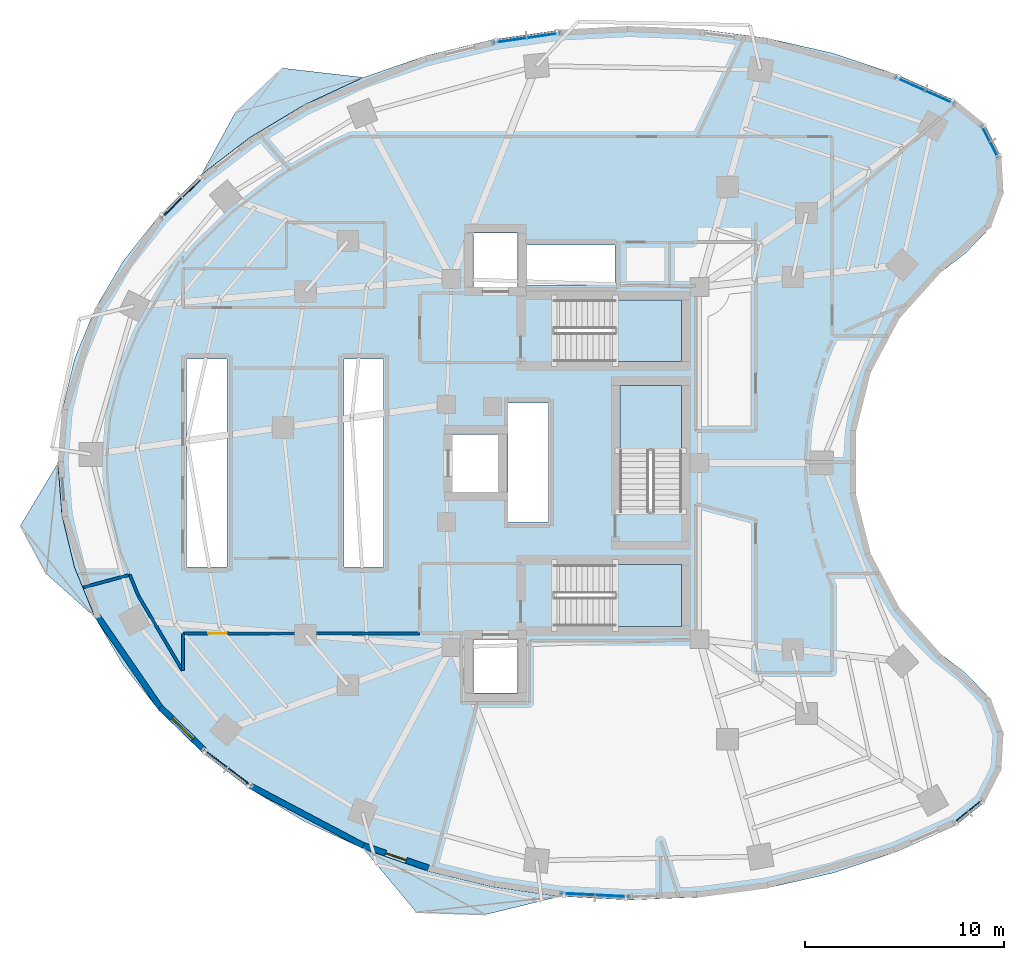
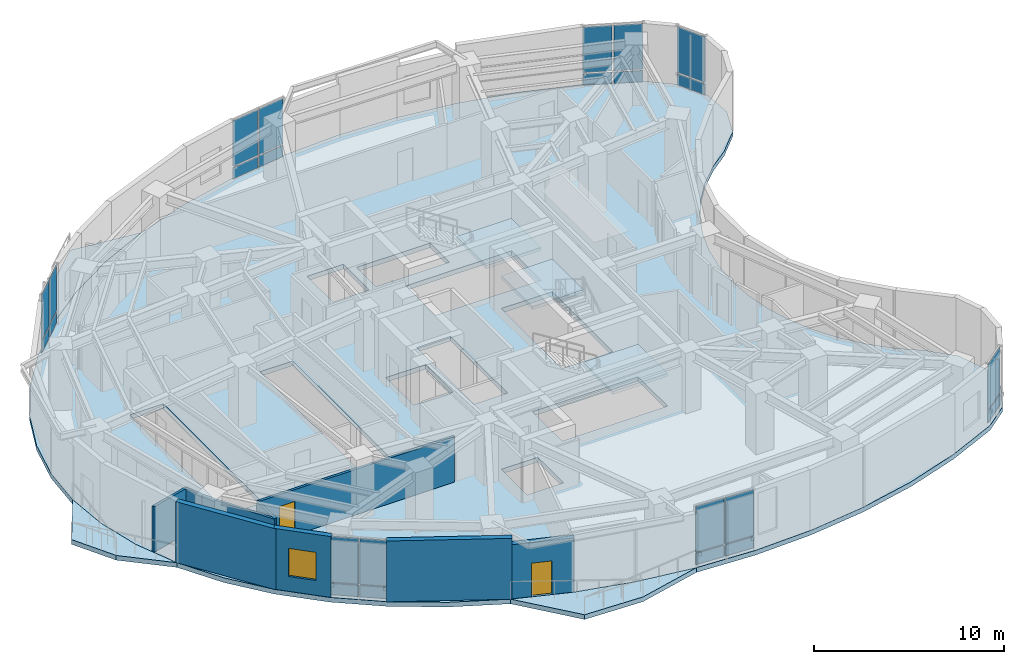
# One storey, part 6 of 13: 24 plates, 9 walls, 7 slabs, 2 doors, 1 window, 3 openings, 10 elements without a shape of their own.
"""IFC4 building model written with IfcOpenShell, lengths in metres."""

from ifc_helpers import new_model, si_unit, direction, frame, frame_2d, origin, origin_2d, place, context, subcontext, project, spatial, polyline, rectangle, outline, extrude, material, layer, layer_set, type_object, element, fill, aggregate, save


model = new_model("IFC4")

# Units and contexts
model_context = context("Model", 3, precision=1e-05, world=origin(), true_north=direction((0.0, 1.0)))
body_context = subcontext(model_context, "Body", "Model", "MODEL_VIEW")
ifc_project = project(units=[si_unit("LENGTHUNIT", "METRE"), si_unit("AREAUNIT", "SQUARE_METRE"), si_unit("VOLUMEUNIT", "CUBIC_METRE"), si_unit("PLANEANGLEUNIT", "RADIAN"), si_unit("MASSUNIT", "GRAM", prefix="KILO")], contexts=[model_context])

# Site, building, storey
site_placement = place(None, origin())
site = spatial("IfcSite", under=ifc_project, at=site_placement, CompositionType="ELEMENT")
building_placement = place(site_placement, origin())
building = spatial("IfcBuilding", under=site, at=building_placement, Name="Korentha Bioscience Tower", CompositionType="ELEMENT")
storey_placement = place(building_placement, frame((0.0, 0.0, 106.800048828125)))
storey = spatial("IfcBuildingStorey", under=building, at=storey_placement, Name="L24", CompositionType="ELEMENT", Elevation=106.800048828125)

# Curtain wall, plates
ifc_material_1 = material(Name="Thermally Broken Aluminium Frame", Category="aluminium")
ifc_layer_1 = layer(ifc_material_1, 0.219970703125, Name="Thermally Broken Aluminium Frame")
ifc_layer_set_1 = layer_set([ifc_layer_1], Name="Thermally Broken Aluminium Frame (CW-T2)")
curtain_wall_type = type_object("IfcCurtainWallType", Name="Solar-Screened Lab Unitised Curtain Wall CW-T2", PredefinedType="USERDEFINED", material=ifc_layer_set_1)
curtain_wall_1_placement = place(storey_placement, origin())
curtain_wall_1 = element("IfcCurtainWall", 1, at=curtain_wall_1_placement, inside=storey, type_object=curtain_wall_type, Name="L24 Curtain Wall 01", ObjectType="UNITISED", PredefinedType="USERDEFINED")
ifc_material_2 = material(Name="Triple-Glazed Low-E Insulated Glass", Category="glass")
ifc_layer_2 = layer(ifc_material_2, 0.0439453125, Name="Triple-Glazed Low-E Insulated Glass")
ifc_layer_set_2 = layer_set([ifc_layer_2], Name="Triple-Glazed Low-E Insulated Glass (GL-44)")
plate_type = type_object("IfcPlateType", Name="Glazed Panel 44mm", PredefinedType="CURTAIN_PANEL", material=ifc_layer_set_2)
plate_1_placement = place(storey_placement, frame((49.61767578125, 45.385986328125, 0.08984375), z_axis=(0.0, 0.0, 1.0), x_axis=(-0.912686563127, 0.408660295952, 0.0)))
plate_1 = element("IfcPlate", 2, at=plate_1_placement, type_object=plate_type, Name="CW-L24-01 Bay 1 Glazed Panel 1", PredefinedType="CURTAIN_PANEL", context=body_context, shape_type="SweptSolid", body=[
    extrude(rectangle(XDim=1.54541015625, YDim=0.0439453125, at=origin_2d()), origin(), (0.0, 0.0, 1.0), 0.715087890625),
])
plate_2_placement = place(storey_placement, frame((49.61767578125, 45.385986328125, 0.89501953125), z_axis=(0.0, 0.0, 1.0), x_axis=(-0.912686563127, 0.408660295952, 0.0)))
plate_2 = element("IfcPlate", 3, at=plate_2_placement, type_object=plate_type, Name="CW-L24-01 Bay 1 Glazed Panel 2", PredefinedType="CURTAIN_PANEL", context=body_context, shape_type="SweptSolid", body=[
    extrude(rectangle(XDim=1.54541015625, YDim=0.0439453125, at=origin_2d()), origin(), (0.0, 0.0, 1.0), 2.9150390625),
])
plate_3_placement = place(storey_placement, frame((48.125, 46.05419921875, 0.08984375), z_axis=(0.0, 0.0, 1.0), x_axis=(-0.912686563127, 0.408660295952, 0.0)))
plate_3 = element("IfcPlate", 4, at=plate_3_placement, type_object=plate_type, Name="CW-L24-01 Bay 2 Glazed Panel 1", PredefinedType="CURTAIN_PANEL", context=body_context, shape_type="SweptSolid", body=[
    extrude(rectangle(XDim=1.54541015625, YDim=0.0439453125, at=origin_2d()), origin(), (0.0, 0.0, 1.0), 0.715087890625),
])
plate_4_placement = place(storey_placement, frame((48.125, 46.05419921875, 0.89501953125), z_axis=(0.0, 0.0, 1.0), x_axis=(-0.912686563127, 0.408660295952, 0.0)))
plate_4 = element("IfcPlate", 5, at=plate_4_placement, type_object=plate_type, Name="CW-L24-01 Bay 2 Glazed Panel 2", PredefinedType="CURTAIN_PANEL", context=body_context, shape_type="SweptSolid", body=[
    extrude(rectangle(XDim=1.54541015625, YDim=0.0439453125, at=origin_2d()), origin(), (0.0, 0.0, 1.0), 2.9150390625),
])
aggregate(curtain_wall_1, [plate_1, plate_2, plate_3, plate_4])

curtain_wall_2_placement = place(storey_placement, origin())
curtain_wall_2 = element("IfcCurtainWall", 6, at=curtain_wall_2_placement, inside=storey, type_object=curtain_wall_type, Name="L24 Curtain Wall 07", ObjectType="UNITISED", PredefinedType="USERDEFINED")
plate_5_placement = place(storey_placement, frame((29.724853515625, 48.486328125, 0.08984375), z_axis=(0.0, 0.0, 1.0), x_axis=(-0.989738282326, -0.14289203091, 0.0)))
plate_5 = element("IfcPlate", 7, at=plate_5_placement, type_object=plate_type, Name="CW-L24-07 Bay 1 Glazed Panel 1", PredefinedType="CURTAIN_PANEL", context=body_context, shape_type="SweptSolid", body=[
    extrude(rectangle(XDim=1.630615234375, YDim=0.0439453125, at=origin_2d()), origin(), (0.0, 0.0, 1.0), 0.715087890625),
])
plate_6_placement = place(storey_placement, frame((29.724853515625, 48.486328125, 0.89501953125), z_axis=(0.0, 0.0, 1.0), x_axis=(-0.989738282326, -0.14289203091, 0.0)))
plate_6 = element("IfcPlate", 8, at=plate_6_placement, type_object=plate_type, Name="CW-L24-07 Bay 1 Glazed Panel 2", PredefinedType="CURTAIN_PANEL", context=body_context, shape_type="SweptSolid", body=[
    extrude(rectangle(XDim=1.630615234375, YDim=0.0439453125, at=origin_2d()), origin(), (0.0, 0.0, 1.0), 2.9150390625),
])
plate_7_placement = place(storey_placement, frame((28.021728515625, 48.240478515625, 0.08984375), z_axis=(0.0, 0.0, 1.0), x_axis=(-0.989738282326, -0.14289203091, 0.0)))
plate_7 = element("IfcPlate", 9, at=plate_7_placement, type_object=plate_type, Name="CW-L24-07 Bay 2 Glazed Panel 1", PredefinedType="CURTAIN_PANEL", context=body_context, shape_type="SweptSolid", body=[
    extrude(rectangle(XDim=1.630615234375, YDim=0.0439453125, at=origin_2d()), origin(), (0.0, 0.0, 1.0), 0.715087890625),
])
plate_8_placement = place(storey_placement, frame((28.021728515625, 48.240478515625, 0.89501953125), z_axis=(0.0, 0.0, 1.0), x_axis=(-0.989738282326, -0.14289203091, 0.0)))
plate_8 = element("IfcPlate", 10, at=plate_8_placement, type_object=plate_type, Name="CW-L24-07 Bay 2 Glazed Panel 2", PredefinedType="CURTAIN_PANEL", context=body_context, shape_type="SweptSolid", body=[
    extrude(rectangle(XDim=1.630615234375, YDim=0.0439453125, at=origin_2d()), origin(), (0.0, 0.0, 1.0), 2.9150390625),
])
aggregate(curtain_wall_2, [plate_5, plate_6, plate_7, plate_8])

curtain_wall_3_placement = place(storey_placement, origin())
curtain_wall_3 = element("IfcCurtainWall", 11, at=curtain_wall_3_placement, inside=storey, type_object=curtain_wall_type, Name="L24 Curtain Wall 13", ObjectType="UNITISED", PredefinedType="USERDEFINED")
plate_9_placement = place(storey_placement, frame((12.09912109375, 40.858642578125, 0.08984375), z_axis=(0.0, 0.0, 1.0), x_axis=(-0.716095631804, -0.698002182025, 0.0)))
plate_9 = element("IfcPlate", 12, at=plate_9_placement, type_object=plate_type, Name="CW-L24-13 Bay 1 Glazed Panel 1", PredefinedType="CURTAIN_PANEL", context=body_context, shape_type="SweptSolid", body=[
    extrude(rectangle(XDim=1.39599609375, YDim=0.0439453125, at=origin_2d()), origin(), (0.0, 0.0, 1.0), 0.715087890625),
])
plate_10_placement = place(storey_placement, frame((12.09912109375, 40.858642578125, 0.89501953125), z_axis=(0.0, 0.0, 1.0), x_axis=(-0.716095631804, -0.698002182025, 0.0)))
plate_10 = element("IfcPlate", 13, at=plate_10_placement, type_object=plate_type, Name="CW-L24-13 Bay 1 Glazed Panel 2", PredefinedType="CURTAIN_PANEL", context=body_context, shape_type="SweptSolid", body=[
    extrude(rectangle(XDim=1.39599609375, YDim=0.0439453125, at=origin_2d()), origin(), (0.0, 0.0, 1.0), 2.9150390625),
])
plate_11_placement = place(storey_placement, frame((11.034912109375, 39.8212890625, 0.08984375), z_axis=(0.0, 0.0, 1.0), x_axis=(-0.716095631804, -0.698002182025, 0.0)))
plate_11 = element("IfcPlate", 14, at=plate_11_placement, type_object=plate_type, Name="CW-L24-13 Bay 2 Glazed Panel 1", PredefinedType="CURTAIN_PANEL", context=body_context, shape_type="SweptSolid", body=[
    extrude(rectangle(XDim=1.39599609375, YDim=0.0439453125, at=origin_2d()), origin(), (0.0, 0.0, 1.0), 0.715087890625),
])
plate_12_placement = place(storey_placement, frame((11.034912109375, 39.8212890625, 0.89501953125), z_axis=(0.0, 0.0, 1.0), x_axis=(-0.716095631804, -0.698002182025, 0.0)))
plate_12 = element("IfcPlate", 15, at=plate_12_placement, type_object=plate_type, Name="CW-L24-13 Bay 2 Glazed Panel 2", PredefinedType="CURTAIN_PANEL", context=body_context, shape_type="SweptSolid", body=[
    extrude(rectangle(XDim=1.39599609375, YDim=0.0439453125, at=origin_2d()), origin(), (0.0, 0.0, 1.0), 2.9150390625),
])
aggregate(curtain_wall_3, [plate_9, plate_10, plate_11, plate_12])

curtain_wall_4_placement = place(storey_placement, origin())
curtain_wall_4 = element("IfcCurtainWall", 16, at=curtain_wall_4_placement, inside=storey, type_object=curtain_wall_type, Name="L24 Curtain Wall 25", ObjectType="UNITISED", PredefinedType="USERDEFINED")
plate_13_placement = place(storey_placement, frame((13.234619140625, 12.162353515625, 0.08984375), z_axis=(0.0, 0.0, 1.0), x_axis=(0.794499603893, -0.607264669986, 0.0)))
plate_13 = element("IfcPlate", 17, at=plate_13_placement, type_object=plate_type, Name="CW-L24-25 Bay 1 Glazed Panel 1", PredefinedType="CURTAIN_PANEL", context=body_context, shape_type="SweptSolid", body=[
    extrude(rectangle(XDim=1.4462890625, YDim=0.0439453125, at=origin_2d()), origin(), (0.0, 0.0, 1.0), 0.715087890625),
])
plate_14_placement = place(storey_placement, frame((13.234619140625, 12.162353515625, 0.89501953125), z_axis=(0.0, 0.0, 1.0), x_axis=(0.794499603893, -0.607264669986, 0.0)))
plate_14 = element("IfcPlate", 18, at=plate_14_placement, type_object=plate_type, Name="CW-L24-25 Bay 1 Glazed Panel 2", PredefinedType="CURTAIN_PANEL", context=body_context, shape_type="SweptSolid", body=[
    extrude(rectangle(XDim=1.4462890625, YDim=0.0439453125, at=origin_2d()), origin(), (0.0, 0.0, 1.0), 2.9150390625),
])
plate_15_placement = place(storey_placement, frame((14.455078125, 11.229248046875, 0.08984375), z_axis=(0.0, 0.0, 1.0), x_axis=(0.794499603893, -0.607264669986, 0.0)))
plate_15 = element("IfcPlate", 19, at=plate_15_placement, type_object=plate_type, Name="CW-L24-25 Bay 2 Glazed Panel 1", PredefinedType="CURTAIN_PANEL", context=body_context, shape_type="SweptSolid", body=[
    extrude(rectangle(XDim=1.4462890625, YDim=0.0439453125, at=origin_2d()), origin(), (0.0, 0.0, 1.0), 0.715087890625),
])
plate_16_placement = place(storey_placement, frame((14.455078125, 11.229248046875, 0.89501953125), z_axis=(0.0, 0.0, 1.0), x_axis=(0.794499603893, -0.607264669986, 0.0)))
plate_16 = element("IfcPlate", 20, at=plate_16_placement, type_object=plate_type, Name="CW-L24-25 Bay 2 Glazed Panel 2", PredefinedType="CURTAIN_PANEL", context=body_context, shape_type="SweptSolid", body=[
    extrude(rectangle(XDim=1.4462890625, YDim=0.0439453125, at=origin_2d()), origin(), (0.0, 0.0, 1.0), 2.9150390625),
])
aggregate(curtain_wall_4, [plate_13, plate_14, plate_15, plate_16])

curtain_wall_5_placement = place(storey_placement, origin())
curtain_wall_5 = element("IfcCurtainWall", 21, at=curtain_wall_5_placement, inside=storey, type_object=curtain_wall_type, Name="L24 Curtain Wall 31", ObjectType="UNITISED", PredefinedType="USERDEFINED")
plate_17_placement = place(storey_placement, frame((31.436279296875, 5.346435546875, 0.08984375), z_axis=(0.0, 0.0, 1.0), x_axis=(0.998673231344, -0.051495407527, 0.0)))
plate_17 = element("IfcPlate", 22, at=plate_17_placement, type_object=plate_type, Name="CW-L24-31 Bay 1 Glazed Panel 1", PredefinedType="CURTAIN_PANEL", context=body_context, shape_type="SweptSolid", body=[
    extrude(rectangle(XDim=1.641845703125, YDim=0.0439453125, at=origin_2d()), origin(), (0.0, 0.0, 1.0), 0.715087890625),
])
plate_18_placement = place(storey_placement, frame((31.436279296875, 5.346435546875, 0.89501953125), z_axis=(0.0, 0.0, 1.0), x_axis=(0.998673231344, -0.051495407527, 0.0)))
plate_18 = element("IfcPlate", 23, at=plate_18_placement, type_object=plate_type, Name="CW-L24-31 Bay 1 Glazed Panel 2", PredefinedType="CURTAIN_PANEL", context=body_context, shape_type="SweptSolid", body=[
    extrude(rectangle(XDim=1.641845703125, YDim=0.0439453125, at=origin_2d()), origin(), (0.0, 0.0, 1.0), 2.9150390625),
])
plate_19_placement = place(storey_placement, frame((33.166015625, 5.25732421875, 0.08984375), z_axis=(0.0, 0.0, 1.0), x_axis=(0.998673231344, -0.051495407527, 0.0)))
plate_19 = element("IfcPlate", 24, at=plate_19_placement, type_object=plate_type, Name="CW-L24-31 Bay 2 Glazed Panel 1", PredefinedType="CURTAIN_PANEL", context=body_context, shape_type="SweptSolid", body=[
    extrude(rectangle(XDim=1.641845703125, YDim=0.0439453125, at=origin_2d()), origin(), (0.0, 0.0, 1.0), 0.715087890625),
])
plate_20_placement = place(storey_placement, frame((33.166015625, 5.25732421875, 0.89501953125), z_axis=(0.0, 0.0, 1.0), x_axis=(0.998673231344, -0.051495407527, 0.0)))
plate_20 = element("IfcPlate", 25, at=plate_20_placement, type_object=plate_type, Name="CW-L24-31 Bay 2 Glazed Panel 2", PredefinedType="CURTAIN_PANEL", context=body_context, shape_type="SweptSolid", body=[
    extrude(rectangle(XDim=1.641845703125, YDim=0.0439453125, at=origin_2d()), origin(), (0.0, 0.0, 1.0), 2.9150390625),
])
aggregate(curtain_wall_5, [plate_17, plate_18, plate_19, plate_20])

curtain_wall_6_placement = place(storey_placement, origin())
curtain_wall_6 = element("IfcCurtainWall", 26, at=curtain_wall_6_placement, inside=storey, type_object=curtain_wall_type, Name="L24 Curtain Wall 37", ObjectType="UNITISED", PredefinedType="USERDEFINED")
plate_21_placement = place(storey_placement, frame((51.04736328125, 9.506591796875, 0.08984375), z_axis=(0.0, 0.0, 1.0), x_axis=(0.777315301098, 0.629111216463, 0.0)))
plate_21 = element("IfcPlate", 27, at=plate_21_placement, type_object=plate_type, Name="CW-L24-37 Bay 1 Glazed Panel 1", PredefinedType="CURTAIN_PANEL", context=body_context, shape_type="SweptSolid", body=[
    extrude(rectangle(XDim=1.737548828125, YDim=0.0439453125, at=origin_2d()), origin(), (0.0, 0.0, 1.0), 0.715087890625),
])
plate_22_placement = place(storey_placement, frame((51.04736328125, 9.506591796875, 0.89501953125), z_axis=(0.0, 0.0, 1.0), x_axis=(0.777315301098, 0.629111216463, 0.0)))
plate_22 = element("IfcPlate", 28, at=plate_22_placement, type_object=plate_type, Name="CW-L24-37 Bay 1 Glazed Panel 2", PredefinedType="CURTAIN_PANEL", context=body_context, shape_type="SweptSolid", body=[
    extrude(rectangle(XDim=1.737548828125, YDim=0.0439453125, at=origin_2d()), origin(), (0.0, 0.0, 1.0), 2.9150390625),
])
aggregate(curtain_wall_6, [plate_21, plate_22])

curtain_wall_7_placement = place(storey_placement, origin())
curtain_wall_7 = element("IfcCurtainWall", 29, at=curtain_wall_7_placement, inside=storey, type_object=curtain_wall_type, Name="L24 Curtain Wall 61", ObjectType="UNITISED", PredefinedType="USERDEFINED")
plate_23_placement = place(storey_placement, frame((52.140380859375, 43.149658203125, 0.08984375), z_axis=(0.0, 0.0, 1.0), x_axis=(-0.457613117169, 0.889151412862, 0.0)))
plate_23 = element("IfcPlate", 30, at=plate_23_placement, type_object=plate_type, Name="CW-L24-61 Bay 1 Glazed Panel 1", PredefinedType="CURTAIN_PANEL", context=body_context, shape_type="SweptSolid", body=[
    extrude(rectangle(XDim=1.737548828125, YDim=0.0439453125, at=origin_2d()), origin(), (0.0, 0.0, 1.0), 0.715087890625),
])
plate_24_placement = place(storey_placement, frame((52.140380859375, 43.149658203125, 0.89501953125), z_axis=(0.0, 0.0, 1.0), x_axis=(-0.457613117169, 0.889151412862, 0.0)))
plate_24 = element("IfcPlate", 31, at=plate_24_placement, type_object=plate_type, Name="CW-L24-61 Bay 1 Glazed Panel 2", PredefinedType="CURTAIN_PANEL", context=body_context, shape_type="SweptSolid", body=[
    extrude(rectangle(XDim=1.737548828125, YDim=0.0439453125, at=origin_2d()), origin(), (0.0, 0.0, 1.0), 2.9150390625),
])
aggregate(curtain_wall_7, [plate_23, plate_24])

# Slab
ifc_material_3 = material(Name="Concrete C50", Category="concrete")
ifc_layer_3 = layer(ifc_material_3, 0.300048828125, Name="Concrete C50")
ifc_layer_set_3 = layer_set([ifc_layer_3], Name="Concrete C50 (SL-L300)")
slab_type_1 = type_object("IfcSlabType", Name="Laboratory Vibration-Controlled Slab 300", PredefinedType="FLOOR", material=ifc_layer_set_3)
slab_1_placement = place(storey_placement, frame((0.0, 0.0, -0.300048828125)))
element("IfcSlab", 32, at=slab_1_placement, inside=storey, type_object=slab_type_1, Name="L24 Tower Structural Floor Slab", PredefinedType="FLOOR", context=body_context, shape_type="SweptSolid", body=[
    extrude(outline(polyline([(50.433837890625, 45.19580078125), (47.439697265625, 46.53662109375), (44.2548828125, 47.59521484375), (40.925537109375, 48.3564453125), (37.5, 48.809326171875), (34.027587890625, 48.947265625), (30.558349609375, 48.7685546875), (27.142333984375, 48.275390625), (23.8291015625, 47.474853515625), (20.66650390625, 46.37890625), (17.69970703125, 45.003173828125), (14.972412109375, 43.367431640625), (12.52294921875, 41.495361328125), (10.3876953125, 39.413818359375), (8.5966796875, 37.1533203125), (7.17626953125, 34.74609375), (6.146484375, 32.22705078125), (5.52294921875, 29.632568359375), (5.31396484375, 27.0), (5.52294921875, 24.367431640625), (6.146484375, 21.77294921875), (7.17626953125, 19.25390625), (8.5966796875, 16.8466796875), (10.3876953125, 14.586181640625), (12.52294921875, 12.504638671875), (14.972412109375, 10.632568359375), (17.69970703125, 8.996826171875), (20.66650390625, 7.62109375), (23.8291015625, 6.525146484375), (27.142333984375, 5.724609375), (30.558349609375, 5.2314453125), (34.027587890625, 5.052734375), (37.5, 5.190673828125), (40.925537109375, 5.6435546875), (44.2548828125, 6.40478515625), (47.439697265625, 7.46337890625), (50.433837890625, 8.80419921875), (51.8623046875, 9.960205078125), (52.703125, 11.593994140625), (52.813720703125, 13.42822265625), (52.175537109375, 15.1513671875), (50.896484375, 16.470703125), (49.666259765625, 17.414794921875), (48.560302734375, 18.501708984375), (47.594970703125, 19.715087890625), (46.78466796875, 21.037353515625), (46.1416015625, 22.448486328125), (45.67529296875, 23.927490234375), (45.392578125, 25.4521484375), (45.298095703125, 27.0), (45.392578125, 28.5478515625), (45.67529296875, 30.072509765625), (46.1416015625, 31.551513671875), (46.78466796875, 32.962646484375), (47.594970703125, 34.284912109375), (48.560302734375, 35.498291015625), (49.666259765625, 36.585205078125), (50.896484375, 37.529296875), (52.175537109375, 38.8486328125), (52.813720703125, 40.57177734375), (52.703125, 42.406005859375), (51.8623046875, 44.039794921875), (50.433837890625, 45.19580078125)]), holes=[polyline([(30.25, 32.10009765625), (36.64990234375, 32.10009765625), (36.64990234375, 35.199951171875), (30.25, 35.199951171875), (30.25, 32.10009765625)]), polyline([(30.25, 18.800048828125), (36.64990234375, 18.800048828125), (36.64990234375, 21.89990234375), (30.25, 21.89990234375), (30.25, 18.800048828125)]), polyline([(36.64990234375, 24.550048828125), (36.64990234375, 30.89990234375), (33.550048828125, 30.89990234375), (33.550048828125, 24.550048828125), (36.64990234375, 24.550048828125)]), polyline([(11.780029296875, 21.780029296875), (13.820068359375, 21.780029296875), (13.820068359375, 32.219970703125), (11.780029296875, 32.219970703125), (11.780029296875, 21.780029296875)]), polyline([(19.679931640625, 21.780029296875), (21.669921875, 21.780029296875), (21.669921875, 32.219970703125), (19.679931640625, 32.219970703125), (19.679931640625, 21.780029296875)]), polyline([(27.929931640625, 24.030029296875), (29.969970703125, 24.030029296875), (29.969970703125, 30.02001953125), (27.929931640625, 30.02001953125), (27.929931640625, 24.030029296875)]), polyline([(28.860107421875, 35.93994140625), (33.31005859375, 35.93994140625), (33.31005859375, 37.9599609375), (28.860107421875, 37.9599609375), (28.860107421875, 35.93994140625)]), polyline([(26.199951171875, 15.449951171875), (28.39990234375, 15.449951171875), (28.39990234375, 18.14990234375), (26.199951171875, 18.14990234375), (26.199951171875, 15.449951171875)]), polyline([(26.199951171875, 35.85009765625), (28.39990234375, 35.85009765625), (28.39990234375, 38.550048828125), (26.199951171875, 38.550048828125), (26.199951171875, 35.85009765625)]), polyline([(25.14990234375, 25.550048828125), (27.550048828125, 25.550048828125), (27.550048828125, 28.449951171875), (25.14990234375, 28.449951171875), (25.14990234375, 25.550048828125)])]), origin(), (0.0, 0.0, 1.0), 0.300048828125),
])

# Stair, slab
ifc_material_4 = material(Name="Precast Concrete C50", Category="concrete")
stair_type = type_object("IfcStairType", Name="Core Exit Dog-Leg Stair 1450", PredefinedType="HALF_TURN_STAIR", material=ifc_material_4)
stair_1_placement = place(storey_placement, origin())
stair_1 = element("IfcStair", 33, at=stair_1_placement, inside=storey, type_object=stair_type, Name="L24 Tower North Pressurized Exit Stair ST-1", PredefinedType="HALF_TURN_STAIR")
ifc_layer_4 = layer(ifc_material_3, 0.199951171875, Name="Concrete C50")
ifc_layer_set_4 = layer_set([ifc_layer_4], Name="Concrete C50 (SL-LND)")
slab_type_2 = type_object("IfcSlabType", Name="Landing Slab 200", PredefinedType="LANDING", material=ifc_layer_set_4)
slab_2_placement = place(storey_placement, frame((0.0, 0.0, 1.89990234375)))
slab_2 = element("IfcSlab", 34, at=slab_2_placement, type_object=slab_type_2, Name="ST-1 landing 1", PredefinedType="LANDING", context=body_context, shape_type="SweptSolid", body=[
    extrude(outline(polyline([(33.330078125, 32.10009765625), (36.64990234375, 32.10009765625), (36.64990234375, 35.199951171875), (33.330078125, 35.199951171875), (33.330078125, 32.10009765625)])), origin(), (0.0, 0.0, 1.0), 0.199951171875),
])
aggregate(stair_1, [slab_2])

stair_2_placement = place(storey_placement, origin())
stair_2 = element("IfcStair", 35, at=stair_2_placement, inside=storey, type_object=stair_type, Name="L24 Tower South Pressurized Exit Stair ST-2", PredefinedType="HALF_TURN_STAIR")
slab_3_placement = place(storey_placement, frame((0.0, 0.0, 1.89990234375)))
slab_3 = element("IfcSlab", 36, at=slab_3_placement, type_object=slab_type_2, Name="ST-2 landing 1", PredefinedType="LANDING", context=body_context, shape_type="SweptSolid", body=[
    extrude(outline(polyline([(33.330078125, 18.800048828125), (36.64990234375, 18.800048828125), (36.64990234375, 21.89990234375), (33.330078125, 21.89990234375), (33.330078125, 18.800048828125)])), origin(), (0.0, 0.0, 1.0), 0.199951171875),
])
aggregate(stair_2, [slab_3])

stair_3_placement = place(storey_placement, origin())
stair_3 = element("IfcStair", 37, at=stair_3_placement, inside=storey, type_object=stair_type, Name="L24 Tower Central Pressurized Exit Stair ST-3", PredefinedType="HALF_TURN_STAIR")
slab_4_placement = place(storey_placement, frame((0.0, 0.0, 1.89990234375)))
slab_4 = element("IfcSlab", 38, at=slab_4_placement, type_object=slab_type_2, Name="ST-3 landing 1", PredefinedType="LANDING", context=body_context, shape_type="SweptSolid", body=[
    extrude(outline(polyline([(36.64990234375, 27.6298828125), (36.64990234375, 30.89990234375), (33.550048828125, 30.89990234375), (33.550048828125, 27.6298828125), (36.64990234375, 27.6298828125)])), origin(), (0.0, 0.0, 1.0), 0.199951171875),
])
aggregate(stair_3, [slab_4])

# Slabs
ifc_layer_5 = layer(ifc_material_3, 0.300048828125, Name="Concrete C50")
ifc_layer_set_5 = layer_set([ifc_layer_5], Name="Concrete C50 (BS-240)")
slab_type_3 = type_object("IfcSlabType", Name="Sawtooth Sun-Ledge Balcony Slab 240", PredefinedType="USERDEFINED", material=ifc_layer_set_5)
slab_5_placement = place(storey_placement, frame((0.0, 0.0, -0.300048828125)))
element("IfcSlab", 39, at=slab_5_placement, inside=storey, type_object=slab_type_3, Name="L24 Sun-Ledge Balcony 01", ObjectType="BALCONY", PredefinedType="USERDEFINED", context=body_context, shape_type="SweptSolid", body=[
    extrude(outline(polyline([(12.52294921875, 41.495361328125), (14.972412109375, 43.367431640625), (17.69970703125, 45.003173828125), (20.66650390625, 46.37890625), (16.593994140625, 46.846923828125), (14.2265625, 44.61083984375), (12.52294921875, 41.495361328125)])), origin(), (0.0, 0.0, 1.0), 0.300048828125),
])
slab_6_placement = place(storey_placement, frame((0.0, 0.0, -0.300048828125)))
element("IfcSlab", 40, at=slab_6_placement, inside=storey, type_object=slab_type_3, Name="L24 Sun-Ledge Balcony 02", ObjectType="BALCONY", PredefinedType="USERDEFINED", context=body_context, shape_type="SweptSolid", body=[
    extrude(outline(polyline([(7.17626953125, 19.25390625), (6.146484375, 21.77294921875), (5.52294921875, 24.367431640625), (5.31396484375, 27.0), (3.4326171875, 23.864990234375), (4.73681640625, 21.43408203125), (7.17626953125, 19.25390625)])), origin(), (0.0, 0.0, 1.0), 0.300048828125),
])
slab_7_placement = place(storey_placement, frame((0.0, 0.0, -0.300048828125)))
element("IfcSlab", 41, at=slab_7_placement, inside=storey, type_object=slab_type_3, Name="L24 Sun-Ledge Balcony 03", ObjectType="BALCONY", PredefinedType="USERDEFINED", context=body_context, shape_type="SweptSolid", body=[
    extrude(outline(polyline([(30.558349609375, 5.2314453125), (27.142333984375, 5.724609375), (23.8291015625, 6.525146484375), (20.66650390625, 7.62109375), (23.32421875, 4.435302734375), (26.802001953125, 4.315185546875), (30.558349609375, 5.2314453125)])), origin(), (0.0, 0.0, 1.0), 0.300048828125),
])

# Wall, opening, door
ifc_material_5 = material(Name="Double-Stud Acoustic Gypsum", Category="gypsum")
ifc_layer_6 = layer(ifc_material_5, 0.14990234375, Name="Double-Stud Acoustic Gypsum")
ifc_layer_set_6 = layer_set([ifc_layer_6], Name="Double-Stud Acoustic Gypsum (IW-L150)")
wall_type_1 = type_object("IfcWallType", Name="Acoustic Laboratory Partition Wall 150", PredefinedType="PARTITIONING", material=ifc_layer_set_6)
wall_1_placement = place(storey_placement, frame((11.590087890625, 18.43994140625, 0.0), z_axis=(0.0, 0.0, 1.0), x_axis=(1.0, 0.0, 0.0)))
wall_1 = element("IfcWall", 42, at=wall_1_placement, inside=storey, type_object=wall_type_1, Name="L24 Research Colloquium Seminar Room 01 Entrance Wall", PredefinedType="PARTITIONING", context=body_context, shape_type="SweptSolid", body=[
    extrude(rectangle(XDim=11.89990234375, YDim=0.14990234375, at=frame_2d((5.949951171875, 0.0))), origin(), (0.0, 0.0, 1.0), 2.909912109375),
])
opening_1_placement = place(wall_1_placement, frame((1.269775390625, 0.0, 0.0)))
opening_1 = element("IfcOpeningElement", 43, at=opening_1_placement, cuts=wall_1, Name="Opening ID-10R", PredefinedType="OPENING", context=body_context, shape_type="SweptSolid", body=[
    extrude(rectangle(XDim=0.949951171875, YDim=2.14990234375, at=frame_2d((0.47509765625, 1.074951171875))), frame((0.0, 0.08984375, 0.0), z_axis=(0.0, -1.0, 0.0), x_axis=(1.0, 0.0, 0.0)), (0.0, 0.0, 1.0), 0.1796875),
])
ifc_material_6 = material(Name="Phenolic Laminate Timber Core", Category="wood")
door_type_1 = type_object("IfcDoorType", Name="Laboratory Single Leaf Door 950x2150 Right", OperationType="SINGLE_SWING_RIGHT", PredefinedType="DOOR", material=ifc_material_6)
door_1_placement = place(opening_1_placement, origin())
door_1 = element("IfcDoor", 44, at=door_1_placement, inside=storey, type_object=door_type_1, Name="L24 Research Colloquium Seminar Room 01 Door", OperationType="SINGLE_SWING_RIGHT", OverallHeight=2.14990234375, OverallWidth=0.949951171875, PredefinedType="DOOR", context=body_context, shape_type="SweptSolid", body=[
    extrude(rectangle(XDim=0.949951171875, YDim=2.14990234375, at=frame_2d((0.47509765625, 1.074951171875))), frame((0.0, 0.02490234375, 0.0), z_axis=(0.0, -1.0, 0.0), x_axis=(1.0, 0.0, 0.0)), (0.0, 0.0, 1.0), 0.050048828125),
])
fill(opening_1, door_1)

# Walls
wall_2_placement = place(storey_placement, frame((6.586181640625, 20.755615234375, 0.0), z_axis=(0.0, 0.0, 1.0), x_axis=(0.965171339766, 0.261618586676, 0.0)))
element("IfcWall", 45, at=wall_2_placement, inside=storey, type_object=wall_type_1, Name="L24 Interior Partition 015", PredefinedType="PARTITIONING", context=body_context, shape_type="SweptSolid", body=[
    extrude(rectangle(XDim=2.42626953125, YDim=0.14990234375, at=frame_2d((1.213134765625, 0.0))), origin(), (0.0, 0.0, 1.0), 2.909912109375),
])
wall_3_placement = place(storey_placement, frame((8.927978515625, 21.390380859375, 0.0), z_axis=(0.0, 0.0, 1.0), x_axis=(0.378373768339, -0.925652900083, 0.0)))
element("IfcWall", 46, at=wall_3_placement, inside=storey, type_object=wall_type_1, Name="L24 Interior Partition 016", PredefinedType="PARTITIONING", context=body_context, shape_type="SweptSolid", body=[
    extrude(rectangle(XDim=1.137451171875, YDim=0.14990234375, at=frame_2d((0.56884765625, 0.0))), origin(), (0.0, 0.0, 1.0), 2.909912109375),
])
wall_4_placement = place(storey_placement, frame((9.359130859375, 20.336181640625, 0.0), z_axis=(0.0, 0.0, 1.0), x_axis=(0.508164254342, -0.86126017591, 0.0)))
element("IfcWall", 47, at=wall_4_placement, inside=storey, type_object=wall_type_1, Name="L24 Interior Partition 017", PredefinedType="PARTITIONING", context=body_context, shape_type="SweptSolid", body=[
    extrude(rectangle(XDim=4.353271484375, YDim=0.14990234375, at=frame_2d((2.1767578125, 0.0))), origin(), (0.0, 0.0, 1.0), 2.909912109375),
])
wall_5_placement = place(storey_placement, frame((11.590087890625, 16.592041015625, 0.0), z_axis=(0.0, 0.0, 1.0), x_axis=(0.0, 1.0, 0.0)))
element("IfcWall", 48, at=wall_5_placement, inside=storey, type_object=wall_type_1, Name="L24 Interior Partition 018", PredefinedType="PARTITIONING", context=body_context, shape_type="SweptSolid", body=[
    extrude(rectangle(XDim=1.847900390625, YDim=0.14990234375, at=frame_2d((0.923828125, 0.0))), origin(), (0.0, 0.0, 1.0), 2.909912109375),
])

# Wall, opening, window
ifc_material_7 = material(Name="Honed Limestone Precast Concrete C40", Category="masonry")
ifc_layer_7 = layer(ifc_material_7, 0.300048828125, Name="Honed Limestone Precast Concrete C40")
ifc_layer_set_7 = layer_set([ifc_layer_7], Name="Honed Limestone Precast Concrete C40 (EW-ST300)")
wall_type_2 = type_object("IfcWallType", Name="Honed Limestone Cavity Spandrel Wall 300", PredefinedType="STANDARD", material=ifc_layer_set_7)
wall_6_placement = place(storey_placement, frame((10.456298828125, 14.74267578125, 0.0), z_axis=(0.0, 0.0, 1.0), x_axis=(0.716099460419, -0.697998254144, 0.0)))
wall_6 = element("IfcWall", 49, at=wall_6_placement, inside=storey, type_object=wall_type_2, Name="L24 Honed Limestone Spandrel Wall 24", PredefinedType="STANDARD", context=body_context, shape_type="SweptSolid", body=[
    extrude(rectangle(XDim=3.10205078125, YDim=0.300048828125, at=frame_2d((1.551025390625, 0.0))), origin(), (0.0, 0.0, 1.0), 3.89990234375),
])
opening_2_placement = place(wall_6_placement, frame((0.801025390625, 0.0, 0.949951171875)))
opening_2 = element("IfcOpeningElement", 50, at=opening_2_placement, cuts=wall_6, Name="Opening WN-02", PredefinedType="OPENING", context=body_context, shape_type="SweptSolid", body=[
    extrude(rectangle(XDim=1.5, YDim=1.800048828125, at=frame_2d((0.75, 0.89990234375))), frame((0.0, 0.1650390625, 0.0), z_axis=(0.0, -1.0, 0.0), x_axis=(1.0, 0.0, 0.0)), (0.0, 0.0, 1.0), 0.329833984375),
])
ifc_material_8 = material(Name="Thermally Broken Aluminium Triple Glazing", Category="aluminium")
window_type = type_object("IfcWindowType", Name="Acoustic Operable Office Window 1500x1800", PartitioningType="DOUBLE_PANEL_VERTICAL", PredefinedType="WINDOW", material=ifc_material_8)
window_placement = place(opening_2_placement, origin())
window = element("IfcWindow", 51, at=window_placement, inside=storey, type_object=window_type, Name="L24 Facade Window 24", OverallHeight=1.800048828125, OverallWidth=1.5, PartitioningType="DOUBLE_PANEL_VERTICAL", PredefinedType="WINDOW", context=body_context, shape_type="SweptSolid", body=[
    extrude(rectangle(XDim=1.5, YDim=1.800048828125, at=frame_2d((0.75, 0.89990234375))), frame((0.0, 0.030029296875, 0.0), z_axis=(0.0, -1.0, 0.0), x_axis=(1.0, 0.0, 0.0)), (0.0, 0.0, 1.0), 0.06005859375),
])
fill(opening_2, window)

# Wall, opening, door
wall_7_placement = place(storey_placement, frame((20.662109375, 7.7919921875, 0.0), z_axis=(0.0, 0.0, 1.0), x_axis=(0.944878029854, -0.3274225232, 0.0)))
wall_7 = element("IfcWall", 52, at=wall_7_placement, inside=storey, type_object=wall_type_2, Name="L24 Balcony Threshold Wall 03", PredefinedType="STANDARD", context=body_context, shape_type="SweptSolid", body=[
    extrude(rectangle(XDim=3.46728515625, YDim=0.300048828125, at=frame_2d((1.733642578125, 0.0))), origin(), (0.0, 0.0, 1.0), 3.469970703125),
])
opening_3_placement = place(wall_7_placement, frame((1.18359375, 0.0, 0.0)))
opening_3 = element("IfcOpeningElement", 53, at=opening_3_placement, cuts=wall_7, Name="Opening BD-11L", PredefinedType="OPENING", context=body_context, shape_type="SweptSolid", body=[
    extrude(rectangle(XDim=1.10009765625, YDim=2.14990234375, at=frame_2d((0.550048828125, 1.074951171875))), frame((0.0, 0.1650390625, 0.0), z_axis=(0.0, -1.0, 0.0), x_axis=(1.0, 0.0, 0.0)), (0.0, 0.0, 1.0), 0.329833984375),
])
ifc_material_9 = material(Name="Thermally Broken Glazed Aluminium", Category="aluminium")
door_type_2 = type_object("IfcDoorType", Name="Balcony Terrace Glazed Door 1100x2150 Left", OperationType="SINGLE_SWING_LEFT", PredefinedType="DOOR", material=ifc_material_9)
door_2_placement = place(opening_3_placement, origin())
door_2 = element("IfcDoor", 54, at=door_2_placement, inside=storey, type_object=door_type_2, Name="L24 Balcony Access Door 03", OperationType="SINGLE_SWING_LEFT", OverallHeight=2.14990234375, OverallWidth=1.10009765625, PredefinedType="DOOR", context=body_context, shape_type="SweptSolid", body=[
    extrude(rectangle(XDim=1.10009765625, YDim=2.14990234375, at=frame_2d((0.550048828125, 1.074951171875))), frame((0.0, 0.02490234375, 0.0), z_axis=(0.0, -1.0, 0.0), x_axis=(1.0, 0.0, 0.0)), (0.0, 0.0, 1.0), 0.050048828125),
])
fill(opening_3, door_2)

# Walls
wall_8_placement = place(storey_placement, frame((7.24609375, 19.399169921875, 0.0), z_axis=(0.0, 0.0, 1.0), x_axis=(0.566825798999, -0.823837674296, 0.0)))
element("IfcWall", 55, at=wall_8_placement, inside=storey, type_object=wall_type_2, Name="L24 Limestone Perimeter Closure Wall 22", PredefinedType="STANDARD", context=body_context, shape_type="SweptSolid", body=[
    extrude(rectangle(XDim=5.825927734375, YDim=0.300048828125, at=frame_2d((2.9130859375, 0.0))), origin(), (0.0, 0.0, 1.0), 3.89990234375),
])
wall_9_placement = place(storey_placement, frame((14.967041015625, 10.793701171875, 0.0), z_axis=(0.0, 0.0, 1.0), x_axis=(0.883986649445, -0.467512142734, 0.0)))
element("IfcWall", 56, at=wall_9_placement, inside=storey, type_object=wall_type_2, Name="L24 Limestone Perimeter Closure Wall 26", PredefinedType="STANDARD", context=body_context, shape_type="SweptSolid", body=[
    extrude(rectangle(XDim=6.601318359375, YDim=0.300048828125, at=frame_2d((3.30078125, 0.0))), origin(), (0.0, 0.0, 1.0), 3.89990234375),
])

save(model, "model.ifc")
